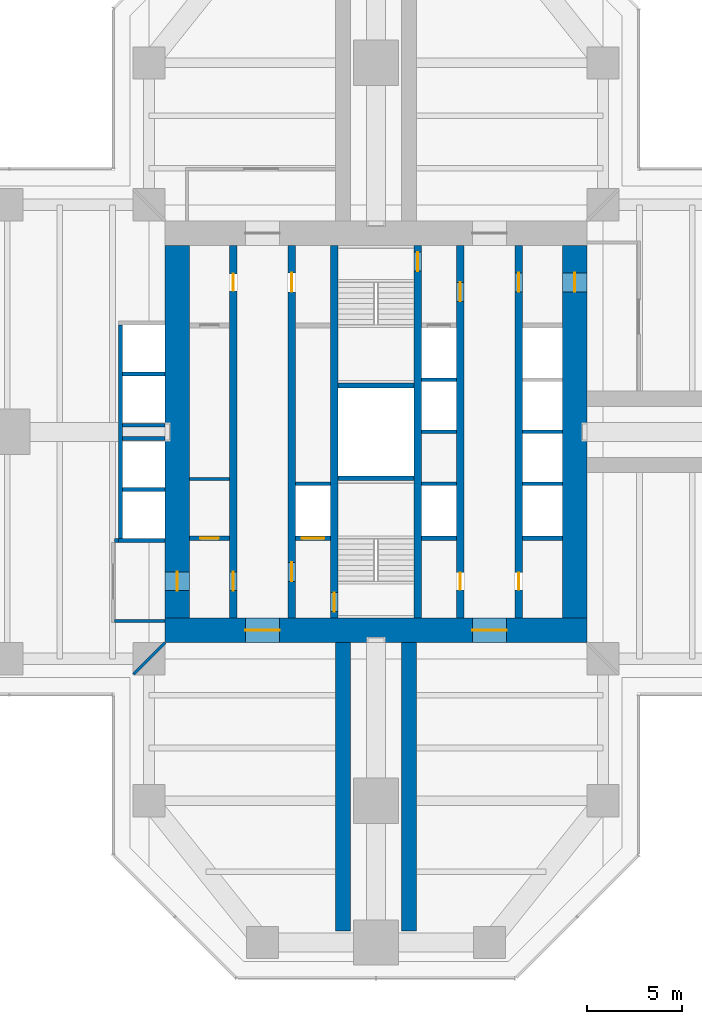
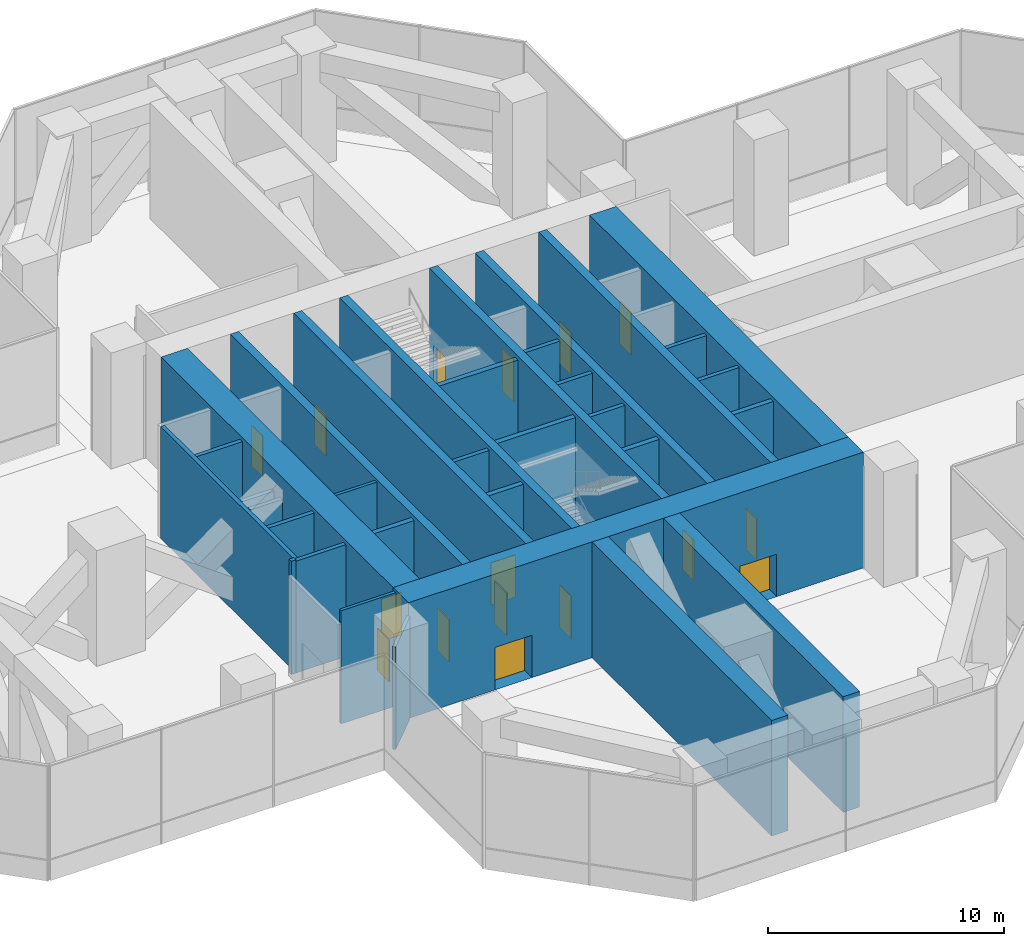
# One storey, part 14 of 19: 33 walls, 16 doors, 16 openings.
"""IFC4 building model written with IfcOpenShell, lengths in metres."""

from ifc_helpers import new_model, si_unit, direction, frame, frame_2d, origin, place, context, subcontext, project, spatial, rectangle, extrude, material, layer, layer_set, type_object, element, fill, save


model = new_model("IFC4")

# Units and contexts
model_context = context("Model", 3, precision=1e-05, world=origin(), true_north=direction((0.0, 1.0)))
body_context = subcontext(model_context, "Body", "Model", "MODEL_VIEW")
ifc_project = project(units=[si_unit("LENGTHUNIT", "METRE"), si_unit("AREAUNIT", "SQUARE_METRE"), si_unit("VOLUMEUNIT", "CUBIC_METRE"), si_unit("PLANEANGLEUNIT", "RADIAN"), si_unit("MASSUNIT", "GRAM", prefix="KILO")], contexts=[model_context])

# Site, building, storey
site_placement = place(None, origin())
site = spatial("IfcSite", under=ifc_project, at=site_placement, CompositionType="ELEMENT")
building_placement = place(site_placement, origin())
building = spatial("IfcBuilding", under=site, at=building_placement, Name="Mizan Broadcast Tower", CompositionType="ELEMENT")
storey_placement = place(building_placement, frame((0.0, 0.0, 198.89990234375)))
storey = spatial("IfcBuildingStorey", under=building, at=storey_placement, Name="L46", CompositionType="ELEMENT", Elevation=198.89990234375)

# Wall, openings, doors
ifc_material_1 = material(Name="Concrete C70/85", Category="concrete")
ifc_layer_1 = layer(ifc_material_1, 0.39990234375)
ifc_layer_set_1 = layer_set([ifc_layer_1], Name="Concrete C70/85")
wall_type_1 = type_object("IfcWallType", Name="CORE INTERNAL WALL 400", PredefinedType="SHEAR", material=ifc_layer_set_1)
wall_1_placement = place(storey_placement, frame((-7.550048828125, -9.85009765625, 0.0), z_axis=(0.0, 0.0, 1.0), x_axis=(0.0, 1.0, 0.0)))
wall_1 = element("IfcWall", 1, at=wall_1_placement, inside=storey, type_object=wall_type_1, Name="Core wall CORE/XW1", PredefinedType="SHEAR", context=body_context, shape_type="SweptSolid", body=[
    extrude(rectangle(XDim=19.7001953125, YDim=0.39990234375, at=frame_2d((9.85009765625, 0.0))), origin(), (0.0, 0.0, 1.0), 6.0),
])
opening_1_placement = place(wall_1_placement, frame((1.449951171875, 0.0, 0.0)))
opening_1 = element("IfcOpeningElement", 2, at=opening_1_placement, cuts=wall_1, Name="Opening D10F", PredefinedType="OPENING", context=body_context, shape_type="SweptSolid", body=[
    extrude(rectangle(XDim=1.0, YDim=2.199951171875, at=frame_2d((0.5, 1.10009765625))), frame((0.0, 0.2099609375, 0.0), z_axis=(0.0, -1.0, 0.0), x_axis=(1.0, 0.0, 0.0)), (0.0, 0.0, 1.0), 0.419921875),
])
opening_2_placement = place(wall_1_placement, frame((17.300048828125, 0.0, 0.0)))
opening_2 = element("IfcOpeningElement", 3, at=opening_2_placement, cuts=wall_1, Name="Opening D09", PredefinedType="OPENING", context=body_context, shape_type="SweptSolid", body=[
    extrude(rectangle(XDim=0.89990234375, YDim=2.10009765625, at=frame_2d((0.449951171875, 1.050048828125))), frame((0.0, 0.2099609375, 0.0), z_axis=(0.0, -1.0, 0.0), x_axis=(1.0, 0.0, 0.0)), (0.0, 0.0, 1.0), 0.419921875),
])
ifc_material_2 = material(Name="Steel door leaf in steel frame", Category="steel")
door_type_1 = type_object("IfcDoorType", Name="FIRE DOOR 1000 FD90", OperationType="SINGLE_SWING_LEFT", PredefinedType="DOOR", material=ifc_material_2)
door_1_placement = place(opening_1_placement, origin())
door_1 = element("IfcDoor", 4, at=door_1_placement, inside=storey, type_object=door_type_1, Name="West core passage door", OperationType="SINGLE_SWING_LEFT", OverallHeight=2.199951171875, OverallWidth=1.0, PredefinedType="DOOR", context=body_context, shape_type="SweptSolid", body=[
    extrude(rectangle(XDim=1.0, YDim=2.199951171875, at=frame_2d((0.5, 1.10009765625))), frame((0.0, 0.02490234375, 0.0), z_axis=(0.0, -1.0, 0.0), x_axis=(1.0, 0.0, 0.0)), (0.0, 0.0, 1.0), 0.050048828125),
])
fill(opening_1, door_1)
ifc_material_3 = material(Name="Timber door leaf in aluminium frame", Category="wood")
door_type_2 = type_object("IfcDoorType", Name="TOILET DOOR 900", OperationType="SINGLE_SWING_LEFT", PredefinedType="DOOR", material=ifc_material_3)
door_2_placement = place(opening_2_placement, origin())
door_2 = element("IfcDoor", 5, at=door_2_placement, inside=storey, type_object=door_type_2, Name="Male WC door", OperationType="SINGLE_SWING_RIGHT", OverallHeight=2.10009765625, OverallWidth=0.89990234375, PredefinedType="DOOR", context=body_context, shape_type="SweptSolid", body=[
    extrude(rectangle(XDim=0.89990234375, YDim=2.10009765625, at=frame_2d((0.449951171875, 1.050048828125))), frame((0.0, 0.02490234375, 0.0), z_axis=(0.0, -1.0, 0.0), x_axis=(1.0, 0.0, 0.0)), (0.0, 0.0, 1.0), 0.050048828125),
])
fill(opening_2, door_2)

wall_2_placement = place(storey_placement, frame((7.550048828125, 9.85009765625, 0.0), z_axis=(0.0, 0.0, 1.0), x_axis=(0.0, -1.0, 0.0)))
wall_2 = element("IfcWall", 6, at=wall_2_placement, inside=storey, type_object=wall_type_1, Name="Core wall CORE/XW1E", PredefinedType="SHEAR", context=body_context, shape_type="SweptSolid", body=[
    extrude(rectangle(XDim=19.7001953125, YDim=0.39990234375, at=frame_2d((9.85009765625, 0.0))), origin(), (0.0, 0.0, 1.0), 6.0),
])
opening_3_placement = place(wall_2_placement, frame((1.449951171875, 0.0, 0.0)))
opening_3 = element("IfcOpeningElement", 7, at=opening_3_placement, cuts=wall_2, Name="Opening D10F", PredefinedType="OPENING", context=body_context, shape_type="SweptSolid", body=[
    extrude(rectangle(XDim=1.0, YDim=2.199951171875, at=frame_2d((0.5, 1.10009765625))), frame((0.0, 0.2099609375, 0.0), z_axis=(0.0, -1.0, 0.0), x_axis=(1.0, 0.0, 0.0)), (0.0, 0.0, 1.0), 0.419921875),
])
opening_4_placement = place(wall_2_placement, frame((17.300048828125, 0.0, 0.0)))
opening_4 = element("IfcOpeningElement", 8, at=opening_4_placement, cuts=wall_2, Name="Opening D09", PredefinedType="OPENING", context=body_context, shape_type="SweptSolid", body=[
    extrude(rectangle(XDim=0.89990234375, YDim=2.10009765625, at=frame_2d((0.449951171875, 1.050048828125))), frame((0.0, 0.2099609375, 0.0), z_axis=(0.0, -1.0, 0.0), x_axis=(1.0, 0.0, 0.0)), (0.0, 0.0, 1.0), 0.419921875),
])
door_3_placement = place(opening_3_placement, origin())
door_3 = element("IfcDoor", 9, at=door_3_placement, inside=storey, type_object=door_type_1, Name="East core passage door", OperationType="SINGLE_SWING_LEFT", OverallHeight=2.199951171875, OverallWidth=1.0, PredefinedType="DOOR", context=body_context, shape_type="SweptSolid", body=[
    extrude(rectangle(XDim=1.0, YDim=2.199951171875, at=frame_2d((0.5, 1.10009765625))), frame((0.0, 0.02490234375, 0.0), z_axis=(0.0, -1.0, 0.0), x_axis=(1.0, 0.0, 0.0)), (0.0, 0.0, 1.0), 0.050048828125),
])
fill(opening_3, door_3)
door_4_placement = place(opening_4_placement, origin())
door_4 = element("IfcDoor", 10, at=door_4_placement, inside=storey, type_object=door_type_2, Name="Female WC door", OperationType="SINGLE_SWING_RIGHT", OverallHeight=2.10009765625, OverallWidth=0.89990234375, PredefinedType="DOOR", context=body_context, shape_type="SweptSolid", body=[
    extrude(rectangle(XDim=0.89990234375, YDim=2.10009765625, at=frame_2d((0.449951171875, 1.050048828125))), frame((0.0, 0.02490234375, 0.0), z_axis=(0.0, -1.0, 0.0), x_axis=(1.0, 0.0, 0.0)), (0.0, 0.0, 1.0), 0.050048828125),
])
fill(opening_4, door_4)

wall_3_placement = place(storey_placement, frame((-4.449951171875, -9.85009765625, 0.0), z_axis=(0.0, 0.0, 1.0), x_axis=(0.0, 1.0, 0.0)))
wall_3 = element("IfcWall", 11, at=wall_3_placement, inside=storey, type_object=wall_type_1, Name="Core wall CORE/XWH", PredefinedType="SHEAR", context=body_context, shape_type="SweptSolid", body=[
    extrude(rectangle(XDim=19.7001953125, YDim=0.39990234375, at=frame_2d((9.85009765625, 0.0))), origin(), (0.0, 0.0, 1.0), 6.0),
])
opening_5_placement = place(wall_3_placement, frame((1.949951171875, 0.0, 0.0)))
opening_5 = element("IfcOpeningElement", 12, at=opening_5_placement, cuts=wall_3, Name="Opening D10F", PredefinedType="OPENING", context=body_context, shape_type="SweptSolid", body=[
    extrude(rectangle(XDim=1.0, YDim=2.199951171875, at=frame_2d((0.5, 1.10009765625))), frame((0.0, 0.2099609375, 0.0), z_axis=(0.0, -1.0, 0.0), x_axis=(1.0, 0.0, 0.0)), (0.0, 0.0, 1.0), 0.419921875),
])
opening_6_placement = place(wall_3_placement, frame((17.25, 0.0, 0.0)))
opening_6 = element("IfcOpeningElement", 13, at=opening_6_placement, cuts=wall_3, Name="Opening D10A", PredefinedType="OPENING", context=body_context, shape_type="SweptSolid", body=[
    extrude(rectangle(XDim=1.0, YDim=2.10009765625, at=frame_2d((0.5, 1.050048828125))), frame((0.0, 0.2099609375, 0.0), z_axis=(0.0, -1.0, 0.0), x_axis=(1.0, 0.0, 0.0)), (0.0, 0.0, 1.0), 0.419921875),
])
ifc_material_4 = material(Name="Timber door leaf in aluminium frame", Category="wood")
door_type_3 = type_object("IfcDoorType", Name="ACCESSIBLE WC DOOR 1000", OperationType="SLIDING_TO_LEFT", PredefinedType="DOOR", material=ifc_material_4)
door_5_placement = place(opening_6_placement, origin())
door_5 = element("IfcDoor", 14, at=door_5_placement, inside=storey, type_object=door_type_3, Name="Accessible WC door", OperationType="SLIDING_TO_LEFT", OverallHeight=2.10009765625, OverallWidth=1.0, PredefinedType="DOOR", context=body_context, shape_type="SweptSolid", body=[
    extrude(rectangle(XDim=1.0, YDim=2.10009765625, at=frame_2d((0.5, 1.050048828125))), frame((0.0, 0.02490234375, 0.0), z_axis=(0.0, -1.0, 0.0), x_axis=(1.0, 0.0, 0.0)), (0.0, 0.0, 1.0), 0.050048828125),
])
fill(opening_6, door_5)
door_6_placement = place(opening_5_placement, origin())
door_6 = element("IfcDoor", 15, at=door_6_placement, inside=storey, type_object=door_type_1, Name="Firefighting lobby A door", OperationType="SINGLE_SWING_LEFT", OverallHeight=2.199951171875, OverallWidth=1.0, PredefinedType="DOOR", context=body_context, shape_type="SweptSolid", body=[
    extrude(rectangle(XDim=1.0, YDim=2.199951171875, at=frame_2d((0.5, 1.10009765625))), frame((0.0, 0.02490234375, 0.0), z_axis=(0.0, -1.0, 0.0), x_axis=(1.0, 0.0, 0.0)), (0.0, 0.0, 1.0), 0.050048828125),
])
fill(opening_5, door_6)

wall_4_placement = place(storey_placement, frame((4.449951171875, 9.85009765625, 0.0), z_axis=(0.0, 0.0, 1.0), x_axis=(0.0, -1.0, 0.0)))
wall_4 = element("IfcWall", 16, at=wall_4_placement, inside=storey, type_object=wall_type_1, Name="Core wall CORE/XWHE", PredefinedType="SHEAR", context=body_context, shape_type="SweptSolid", body=[
    extrude(rectangle(XDim=19.7001953125, YDim=0.39990234375, at=frame_2d((9.85009765625, 0.0))), origin(), (0.0, 0.0, 1.0), 6.0),
])
opening_7_placement = place(wall_4_placement, frame((1.949951171875, 0.0, 0.0)))
opening_7 = element("IfcOpeningElement", 17, at=opening_7_placement, cuts=wall_4, Name="Opening D10F", PredefinedType="OPENING", context=body_context, shape_type="SweptSolid", body=[
    extrude(rectangle(XDim=1.0, YDim=2.199951171875, at=frame_2d((0.5, 1.10009765625))), frame((0.0, 0.2099609375, 0.0), z_axis=(0.0, -1.0, 0.0), x_axis=(1.0, 0.0, 0.0)), (0.0, 0.0, 1.0), 0.419921875),
])
opening_8_placement = place(wall_4_placement, frame((17.300048828125, 0.0, 0.0)))
opening_8 = element("IfcOpeningElement", 18, at=opening_8_placement, cuts=wall_4, Name="Opening D09", PredefinedType="OPENING", context=body_context, shape_type="SweptSolid", body=[
    extrude(rectangle(XDim=0.89990234375, YDim=2.10009765625, at=frame_2d((0.449951171875, 1.050048828125))), frame((0.0, 0.2099609375, 0.0), z_axis=(0.0, -1.0, 0.0), x_axis=(1.0, 0.0, 0.0)), (0.0, 0.0, 1.0), 0.419921875),
])
door_7_placement = place(opening_7_placement, origin())
door_7 = element("IfcDoor", 19, at=door_7_placement, inside=storey, type_object=door_type_1, Name="Firefighting lobby B door", OperationType="SINGLE_SWING_LEFT", OverallHeight=2.199951171875, OverallWidth=1.0, PredefinedType="DOOR", context=body_context, shape_type="SweptSolid", body=[
    extrude(rectangle(XDim=1.0, YDim=2.199951171875, at=frame_2d((0.5, 1.10009765625))), frame((0.0, 0.02490234375, 0.0), z_axis=(0.0, -1.0, 0.0), x_axis=(1.0, 0.0, 0.0)), (0.0, 0.0, 1.0), 0.050048828125),
])
fill(opening_7, door_7)
door_8_placement = place(opening_8_placement, origin())
door_8 = element("IfcDoor", 20, at=door_8_placement, inside=storey, type_object=door_type_2, Name="Cleaner's store door", OperationType="SINGLE_SWING_RIGHT", OverallHeight=2.10009765625, OverallWidth=0.89990234375, PredefinedType="DOOR", context=body_context, shape_type="SweptSolid", body=[
    extrude(rectangle(XDim=0.89990234375, YDim=2.10009765625, at=frame_2d((0.449951171875, 1.050048828125))), frame((0.0, 0.02490234375, 0.0), z_axis=(0.0, -1.0, 0.0), x_axis=(1.0, 0.0, 0.0)), (0.0, 0.0, 1.0), 0.050048828125),
])
fill(opening_8, door_8)

# Wall, opening, door
wall_5_placement = place(storey_placement, frame((-2.199951171875, -9.85009765625, 0.0), z_axis=(0.0, 0.0, 1.0), x_axis=(0.0, 1.0, 0.0)))
wall_5 = element("IfcWall", 21, at=wall_5_placement, inside=storey, type_object=wall_type_1, Name="Core wall CORE/XW2", PredefinedType="SHEAR", context=body_context, shape_type="SweptSolid", body=[
    extrude(rectangle(XDim=19.7001953125, YDim=0.39990234375, at=frame_2d((9.85009765625, 0.0))), origin(), (0.0, 0.0, 1.0), 6.0),
])
opening_9_placement = place(wall_5_placement, frame((0.35009765625, 0.0, 0.0)))
opening_9 = element("IfcOpeningElement", 22, at=opening_9_placement, cuts=wall_5, Name="Opening D10S", PredefinedType="OPENING", context=body_context, shape_type="SweptSolid", body=[
    extrude(rectangle(XDim=1.0, YDim=2.199951171875, at=frame_2d((0.5, 1.10009765625))), frame((0.0, 0.2099609375, 0.0), z_axis=(0.0, -1.0, 0.0), x_axis=(1.0, 0.0, 0.0)), (0.0, 0.0, 1.0), 0.419921875),
])
ifc_material_5 = material(Name="Steel door leaf in steel frame", Category="steel")
door_type_4 = type_object("IfcDoorType", Name="STAIR DOOR 1000 FD90S", OperationType="SINGLE_SWING_RIGHT", PredefinedType="DOOR", material=ifc_material_5)
door_9_placement = place(opening_9_placement, origin())
door_9 = element("IfcDoor", 23, at=door_9_placement, inside=storey, type_object=door_type_4, Name="Stair A door", OperationType="SINGLE_SWING_RIGHT", OverallHeight=2.199951171875, OverallWidth=1.0, PredefinedType="DOOR", context=body_context, shape_type="SweptSolid", body=[
    extrude(rectangle(XDim=1.0, YDim=2.199951171875, at=frame_2d((0.5, 1.10009765625))), frame((0.0, 0.02490234375, 0.0), z_axis=(0.0, -1.0, 0.0), x_axis=(1.0, 0.0, 0.0)), (0.0, 0.0, 1.0), 0.050048828125),
])
fill(opening_9, door_9)

wall_6_placement = place(storey_placement, frame((2.199951171875, 9.85009765625, 0.0), z_axis=(0.0, 0.0, 1.0), x_axis=(0.0, -1.0, 0.0)))
wall_6 = element("IfcWall", 24, at=wall_6_placement, inside=storey, type_object=wall_type_1, Name="Core wall CORE/XW2E", PredefinedType="SHEAR", context=body_context, shape_type="SweptSolid", body=[
    extrude(rectangle(XDim=19.7001953125, YDim=0.39990234375, at=frame_2d((9.85009765625, 0.0))), origin(), (0.0, 0.0, 1.0), 6.0),
])
opening_10_placement = place(wall_6_placement, frame((0.35009765625, 0.0, 0.0)))
opening_10 = element("IfcOpeningElement", 25, at=opening_10_placement, cuts=wall_6, Name="Opening D10S", PredefinedType="OPENING", context=body_context, shape_type="SweptSolid", body=[
    extrude(rectangle(XDim=1.0, YDim=2.199951171875, at=frame_2d((0.5, 1.10009765625))), frame((0.0, 0.2099609375, 0.0), z_axis=(0.0, -1.0, 0.0), x_axis=(1.0, 0.0, 0.0)), (0.0, 0.0, 1.0), 0.419921875),
])
door_10_placement = place(opening_10_placement, origin())
door_10 = element("IfcDoor", 26, at=door_10_placement, inside=storey, type_object=door_type_4, Name="Stair B door", OperationType="SINGLE_SWING_RIGHT", OverallHeight=2.199951171875, OverallWidth=1.0, PredefinedType="DOOR", context=body_context, shape_type="SweptSolid", body=[
    extrude(rectangle(XDim=1.0, YDim=2.199951171875, at=frame_2d((0.5, 1.10009765625))), frame((0.0, 0.02490234375, 0.0), z_axis=(0.0, -1.0, 0.0), x_axis=(1.0, 0.0, 0.0)), (0.0, 0.0, 1.0), 0.050048828125),
])
fill(opening_10, door_10)

# Wall
ifc_material_6 = material(Name="Concrete blockwork", Category="masonry")
ifc_layer_2 = layer(ifc_material_6, 0.14990234375)
ifc_layer_set_2 = layer_set([ifc_layer_2], Name="Concrete blockwork")
wall_type_2 = type_object("IfcWallType", Name="CORE PARTITION 150", PredefinedType="SOLIDWALL", material=ifc_layer_set_2)
wall_7_placement = place(storey_placement, frame((-9.85009765625, -2.5, 0.0), z_axis=(0.0, 0.0, 1.0), x_axis=(1.0, 0.0, 0.0)))
element("IfcWall", 27, at=wall_7_placement, inside=storey, type_object=wall_type_2, Name="Core partition CORE/XP1", PredefinedType="SOLIDWALL", context=body_context, shape_type="SweptSolid", body=[
    extrude(rectangle(XDim=2.10009765625, YDim=0.14990234375, at=frame_2d((1.050048828125, 0.0))), origin(), (0.0, 0.0, 1.0), 5.8701171875),
])

# Wall, openings, doors
ifc_material_7 = material(Name="Concrete C70/85", Category="concrete")
ifc_layer_3 = layer(ifc_material_7, 1.300048828125)
ifc_layer_set_3 = layer_set([ifc_layer_3], Name="Concrete C70/85")
wall_type_3 = type_object("IfcWallType", Name="CORE WALL 1300", PredefinedType="SHEAR", material=ifc_layer_set_3)
wall_8_placement = place(storey_placement, frame((11.14990234375, -10.5, 0.0), z_axis=(0.0, 0.0, 1.0), x_axis=(-1.0, 0.0, 0.0)))
wall_8 = element("IfcWall", 28, at=wall_8_placement, inside=storey, type_object=wall_type_3, Name="Core wall S L46", PredefinedType="SHEAR", context=body_context, shape_type="SweptSolid", body=[
    extrude(rectangle(XDim=22.2998046875, YDim=1.300048828125, at=frame_2d((11.14990234375, 0.0))), origin(), (0.0, 0.0, 1.0), 6.0),
])
opening_11_placement = place(wall_8_placement, frame((16.25, 0.0, 0.0)))
opening_11 = element("IfcOpeningElement", 29, at=opening_11_placement, cuts=wall_8, Name="Opening D18F", PredefinedType="OPENING", context=body_context, shape_type="SweptSolid", body=[
    extrude(rectangle(XDim=1.800048828125, YDim=2.199951171875, at=frame_2d((0.89990234375, 1.10009765625))), frame((0.0, 0.659912109375, 0.0), z_axis=(0.0, -1.0, 0.0), x_axis=(1.0, 0.0, 0.0)), (0.0, 0.0, 1.0), 1.320068359375),
])
opening_12_placement = place(wall_8_placement, frame((4.25, 0.0, 0.0)))
opening_12 = element("IfcOpeningElement", 30, at=opening_12_placement, cuts=wall_8, Name="Opening D18F", PredefinedType="OPENING", context=body_context, shape_type="SweptSolid", body=[
    extrude(rectangle(XDim=1.800048828125, YDim=2.199951171875, at=frame_2d((0.89990234375, 1.10009765625))), frame((0.0, 0.659912109375, 0.0), z_axis=(0.0, -1.0, 0.0), x_axis=(1.0, 0.0, 0.0)), (0.0, 0.0, 1.0), 1.320068359375),
])
ifc_material_8 = material(Name="Steel door leaf in steel frame", Category="steel")
door_type_5 = type_object("IfcDoorType", Name="LOBBY DOUBLE DOOR 1800 FD90", OperationType="DOUBLE_DOOR_DOUBLE_SWING", PredefinedType="DOOR", material=ifc_material_8)
door_11_placement = place(opening_11_placement, origin())
door_11 = element("IfcDoor", 31, at=door_11_placement, inside=storey, type_object=door_type_5, Name="West lift lobby south door", OperationType="DOUBLE_DOOR_DOUBLE_SWING", OverallHeight=2.199951171875, OverallWidth=1.800048828125, PredefinedType="DOOR", context=body_context, shape_type="SweptSolid", body=[
    extrude(rectangle(XDim=1.800048828125, YDim=2.199951171875, at=frame_2d((0.89990234375, 1.10009765625))), frame((0.0, 0.02490234375, 0.0), z_axis=(0.0, -1.0, 0.0), x_axis=(1.0, 0.0, 0.0)), (0.0, 0.0, 1.0), 0.050048828125),
])
fill(opening_11, door_11)
door_12_placement = place(opening_12_placement, origin())
door_12 = element("IfcDoor", 32, at=door_12_placement, inside=storey, type_object=door_type_5, Name="East lift lobby south door", OperationType="DOUBLE_DOOR_DOUBLE_SWING", OverallHeight=2.199951171875, OverallWidth=1.800048828125, PredefinedType="DOOR", context=body_context, shape_type="SweptSolid", body=[
    extrude(rectangle(XDim=1.800048828125, YDim=2.199951171875, at=frame_2d((0.89990234375, 1.10009765625))), frame((0.0, 0.02490234375, 0.0), z_axis=(0.0, -1.0, 0.0), x_axis=(1.0, 0.0, 0.0)), (0.0, 0.0, 1.0), 0.050048828125),
])
fill(opening_12, door_12)

# Wall, opening, door
wall_9_placement = place(storey_placement, frame((10.5, -9.85009765625, 0.0), z_axis=(0.0, 0.0, 1.0), x_axis=(0.0, 1.0, 0.0)))
wall_9 = element("IfcWall", 33, at=wall_9_placement, inside=storey, type_object=wall_type_3, Name="Core wall E L46", PredefinedType="SHEAR", context=body_context, shape_type="SweptSolid", body=[
    extrude(rectangle(XDim=19.7001953125, YDim=1.300048828125, at=frame_2d((9.85009765625, 0.0))), origin(), (0.0, 0.0, 1.0), 6.0),
])
opening_13_placement = place(wall_9_placement, frame((17.25, 0.0, 0.0)))
opening_13 = element("IfcOpeningElement", 34, at=opening_13_placement, cuts=wall_9, Name="Opening D10F", PredefinedType="OPENING", context=body_context, shape_type="SweptSolid", body=[
    extrude(rectangle(XDim=1.0, YDim=2.199951171875, at=frame_2d((0.5, 1.10009765625))), frame((0.0, 0.659912109375, 0.0), z_axis=(0.0, -1.0, 0.0), x_axis=(1.0, 0.0, 0.0)), (0.0, 0.0, 1.0), 1.320068359375),
])
door_13_placement = place(opening_13_placement, origin())
door_13 = element("IfcDoor", 35, at=door_13_placement, inside=storey, type_object=door_type_1, Name="East core passage arm door", OperationType="SINGLE_SWING_RIGHT", OverallHeight=2.199951171875, OverallWidth=1.0, PredefinedType="DOOR", context=body_context, shape_type="SweptSolid", body=[
    extrude(rectangle(XDim=1.0, YDim=2.199951171875, at=frame_2d((0.5, 1.10009765625))), frame((0.0, 0.02490234375, 0.0), z_axis=(0.0, -1.0, 0.0), x_axis=(1.0, 0.0, 0.0)), (0.0, 0.0, 1.0), 0.050048828125),
])
fill(opening_13, door_13)

wall_10_placement = place(storey_placement, frame((-10.5, 9.85009765625, 0.0), z_axis=(0.0, 0.0, 1.0), x_axis=(0.0, -1.0, 0.0)))
wall_10 = element("IfcWall", 36, at=wall_10_placement, inside=storey, type_object=wall_type_3, Name="Core wall W L46", PredefinedType="SHEAR", context=body_context, shape_type="SweptSolid", body=[
    extrude(rectangle(XDim=19.7001953125, YDim=1.300048828125, at=frame_2d((9.85009765625, 0.0))), origin(), (0.0, 0.0, 1.0), 6.0),
])
opening_14_placement = place(wall_10_placement, frame((17.25, 0.0, 0.0)))
opening_14 = element("IfcOpeningElement", 37, at=opening_14_placement, cuts=wall_10, Name="Opening D10F", PredefinedType="OPENING", context=body_context, shape_type="SweptSolid", body=[
    extrude(rectangle(XDim=1.0, YDim=2.199951171875, at=frame_2d((0.5, 1.10009765625))), frame((0.0, 0.659912109375, 0.0), z_axis=(0.0, -1.0, 0.0), x_axis=(1.0, 0.0, 0.0)), (0.0, 0.0, 1.0), 1.320068359375),
])
door_14_placement = place(opening_14_placement, origin())
door_14 = element("IfcDoor", 38, at=door_14_placement, inside=storey, type_object=door_type_1, Name="West core passage arm door", OperationType="SINGLE_SWING_RIGHT", OverallHeight=2.199951171875, OverallWidth=1.0, PredefinedType="DOOR", context=body_context, shape_type="SweptSolid", body=[
    extrude(rectangle(XDim=1.0, YDim=2.199951171875, at=frame_2d((0.5, 1.10009765625))), frame((0.0, 0.02490234375, 0.0), z_axis=(0.0, -1.0, 0.0), x_axis=(1.0, 0.0, 0.0)), (0.0, 0.0, 1.0), 0.050048828125),
])
fill(opening_14, door_14)

# Walls
ifc_material_9 = material(Name="Concrete blockwork", Category="masonry")
ifc_layer_4 = layer(ifc_material_9, 0.199951171875)
ifc_layer_set_4 = layer_set([ifc_layer_4], Name="Concrete blockwork")
wall_type_4 = type_object("IfcWallType", Name="LIFT SHAFT WALL 200", PredefinedType="SOLIDWALL", material=ifc_layer_set_4)
for number, where, z_axis, x_axis, name in (
    (39, (-4.25, -2.75, 0.0), (0.0, 0.0, 1.0), (1.0, 0.0, 0.0), "Lift shaft wall CORE/SW2-1"),
    (40, (2.39990234375, -2.75, 0.0), (0.0, 0.0, 1.0), (1.0, 0.0, 0.0), "Lift shaft wall CORE/SE2-1"),
):
    element("IfcWall", number, at=place(storey_placement, frame(where, z_axis=z_axis, x_axis=x_axis)), inside=storey, type_object=wall_type_4, Name=name, PredefinedType="SOLIDWALL", context=body_context, shape_type="SweptSolid", body=[
        extrude(rectangle(XDim=1.85009765625, YDim=0.199951171875, at=frame_2d((0.925048828125, 0.0))), origin(), (0.0, 0.0, 1.0), 5.800048828125),
    ])
wall_11_placement = place(storey_placement, frame((7.75, -2.75, 0.0), z_axis=(0.0, 0.0, 1.0), x_axis=(1.0, 0.0, 0.0)))
element("IfcWall", 41, at=wall_11_placement, inside=storey, type_object=wall_type_4, Name="Lift shaft wall CORE/SE1-1", PredefinedType="SOLIDWALL", context=body_context, shape_type="SweptSolid", body=[
    extrude(rectangle(XDim=2.10009765625, YDim=0.199951171875, at=frame_2d((1.050048828125, 0.0))), origin(), (0.0, 0.0, 1.0), 5.800048828125),
])
wall_12_placement = place(storey_placement, frame((2.39990234375, 0.0, 0.0), z_axis=(0.0, 0.0, 1.0), x_axis=(1.0, 0.0, 0.0)))
element("IfcWall", 42, at=wall_12_placement, inside=storey, type_object=wall_type_4, Name="Lift shaft wall CORE/SE2-2", PredefinedType="SOLIDWALL", context=body_context, shape_type="SweptSolid", body=[
    extrude(rectangle(XDim=1.85009765625, YDim=0.199951171875, at=frame_2d((0.925048828125, 0.0))), origin(), (0.0, 0.0, 1.0), 5.800048828125),
])
wall_13_placement = place(storey_placement, frame((7.75, 0.0, 0.0), z_axis=(0.0, 0.0, 1.0), x_axis=(1.0, 0.0, 0.0)))
element("IfcWall", 43, at=wall_13_placement, inside=storey, type_object=wall_type_4, Name="Lift shaft wall CORE/SE1-2", PredefinedType="SOLIDWALL", context=body_context, shape_type="SweptSolid", body=[
    extrude(rectangle(XDim=2.10009765625, YDim=0.199951171875, at=frame_2d((1.050048828125, 0.0))), origin(), (0.0, 0.0, 1.0), 5.800048828125),
])
wall_14_placement = place(storey_placement, frame((2.39990234375, 2.75, 0.0), z_axis=(0.0, 0.0, 1.0), x_axis=(1.0, 0.0, 0.0)))
element("IfcWall", 44, at=wall_14_placement, inside=storey, type_object=wall_type_4, Name="Lift shaft wall CORE/SE2-3", PredefinedType="SOLIDWALL", context=body_context, shape_type="SweptSolid", body=[
    extrude(rectangle(XDim=1.85009765625, YDim=0.199951171875, at=frame_2d((0.925048828125, 0.0))), origin(), (0.0, 0.0, 1.0), 5.800048828125),
])
wall_15_placement = place(storey_placement, frame((-13.5, 5.64990234375, 0.0), z_axis=(0.0, 0.0, 1.0), x_axis=(0.0, -1.0, 0.0)))
element("IfcWall", 45, at=wall_15_placement, inside=storey, type_object=wall_type_4, Name="Lift shaft wall LC/F", PredefinedType="SOLIDWALL", context=body_context, shape_type="SweptSolid", body=[
    extrude(rectangle(XDim=11.2998046875, YDim=0.199951171875, at=frame_2d((5.64990234375, 0.0))), origin(), (0.0, 0.0, 1.0), 5.800048828125),
])
wall_16_placement = place(storey_placement, frame((-11.14990234375, -5.75, 0.0), z_axis=(0.0, 0.0, 1.0), x_axis=(-1.0, 0.0, 0.0)))
element("IfcWall", 46, at=wall_16_placement, inside=storey, type_object=wall_type_4, Name="Lift shaft wall LC/S2", PredefinedType="SOLIDWALL", context=body_context, shape_type="SweptSolid", body=[
    extrude(rectangle(XDim=2.4501953125, YDim=0.199951171875, at=frame_2d((1.22509765625, 0.0))), origin(), (0.0, 0.0, 1.0), 5.800048828125),
])
wall_17_placement = place(storey_placement, frame((-11.14990234375, 3.050048828125, 0.0), z_axis=(0.0, 0.0, 1.0), x_axis=(-1.0, 0.0, 0.0)))
element("IfcWall", 47, at=wall_17_placement, inside=storey, type_object=wall_type_4, Name="Lift shaft wall LC/SP1", PredefinedType="SOLIDWALL", context=body_context, shape_type="SweptSolid", body=[
    extrude(rectangle(XDim=2.25, YDim=0.199951171875, at=frame_2d((1.125, 0.0))), origin(), (0.0, 0.0, 1.0), 5.800048828125),
])
for number, where, z_axis, x_axis, name in (
    (48, (-11.14990234375, 0.35009765625, 0.0), (0.0, 0.0, 1.0), (-1.0, 0.0, 0.0), "Lift shaft wall LC/SP2"),
    (49, (-11.14990234375, -0.35009765625, 0.0), (0.0, 0.0, 1.0), (-1.0, 0.0, 0.0), "Lift shaft wall LC/SP3"),
):
    element("IfcWall", number, at=place(storey_placement, frame(where, z_axis=z_axis, x_axis=x_axis)), inside=storey, type_object=wall_type_4, Name=name, PredefinedType="SOLIDWALL", context=body_context, shape_type="SweptSolid", body=[
        extrude(rectangle(XDim=2.25, YDim=0.199951171875, at=frame_2d((1.125, 0.0))), origin(), (0.0, 0.0, 1.0), 4.8701171875),
    ])
wall_18_placement = place(storey_placement, frame((-11.14990234375, -3.050048828125, 0.0), z_axis=(0.0, 0.0, 1.0), x_axis=(-1.0, 0.0, 0.0)))
element("IfcWall", 50, at=wall_18_placement, inside=storey, type_object=wall_type_4, Name="Lift shaft wall LC/SP4", PredefinedType="SOLIDWALL", context=body_context, shape_type="SweptSolid", body=[
    extrude(rectangle(XDim=2.25, YDim=0.199951171875, at=frame_2d((1.125, 0.0))), origin(), (0.0, 0.0, 1.0), 5.800048828125),
])

# Wall, opening, door
ifc_material_10 = material(Name="Concrete blockwork", Category="masonry")
ifc_layer_5 = layer(ifc_material_10, 0.25)
ifc_layer_set_5 = layer_set([ifc_layer_5], Name="Concrete blockwork")
wall_type_5 = type_object("IfcWallType", Name="LOBBY ENCLOSURE WALL 250", PredefinedType="SOLIDWALL", material=ifc_layer_set_5)
wall_19_placement = place(storey_placement, frame((-9.85009765625, -5.625, 0.0), z_axis=(0.0, 0.0, 1.0), x_axis=(1.0, 0.0, 0.0)))
wall_19 = element("IfcWall", 51, at=wall_19_placement, inside=storey, type_object=wall_type_5, Name="Lobby enclosure wall CORE/BW1S", PredefinedType="SOLIDWALL", context=body_context, shape_type="SweptSolid", body=[
    extrude(rectangle(XDim=2.10009765625, YDim=0.25, at=frame_2d((1.050048828125, 0.0))), origin(), (0.0, 0.0, 1.0), 5.800048828125),
])
opening_15_placement = place(wall_19_placement, frame((0.550048828125, 0.0, 0.0)))
opening_15 = element("IfcOpeningElement", 52, at=opening_15_placement, cuts=wall_19, Name="Opening D10F", PredefinedType="OPENING", context=body_context, shape_type="SweptSolid", body=[
    extrude(rectangle(XDim=1.0, YDim=2.199951171875, at=frame_2d((0.5, 1.10009765625))), frame((0.0, 0.135009765625, 0.0), z_axis=(0.0, -1.0, 0.0), x_axis=(1.0, 0.0, 0.0)), (0.0, 0.0, 1.0), 0.27001953125),
])
door_15_placement = place(opening_15_placement, origin())
door_15 = element("IfcDoor", 53, at=door_15_placement, inside=storey, type_object=door_type_1, Name="Engineer's office door", OperationType="SINGLE_SWING_RIGHT", OverallHeight=2.199951171875, OverallWidth=1.0, PredefinedType="DOOR", context=body_context, shape_type="SweptSolid", body=[
    extrude(rectangle(XDim=1.0, YDim=2.199951171875, at=frame_2d((0.5, 1.10009765625))), frame((0.0, 0.02490234375, 0.0), z_axis=(0.0, -1.0, 0.0), x_axis=(1.0, 0.0, 0.0)), (0.0, 0.0, 1.0), 0.050048828125),
])
fill(opening_15, door_15)

wall_20_placement = place(storey_placement, frame((-4.25, -5.625, 0.0), z_axis=(0.0, 0.0, 1.0), x_axis=(1.0, 0.0, 0.0)))
wall_20 = element("IfcWall", 54, at=wall_20_placement, inside=storey, type_object=wall_type_5, Name="Lobby enclosure wall CORE/BW2S", PredefinedType="SOLIDWALL", context=body_context, shape_type="SweptSolid", body=[
    extrude(rectangle(XDim=1.85009765625, YDim=0.25, at=frame_2d((0.925048828125, 0.0))), origin(), (0.0, 0.0, 1.0), 5.800048828125),
])
opening_16_placement = place(wall_20_placement, frame((0.324951171875, 0.0, 0.0)))
opening_16 = element("IfcOpeningElement", 55, at=opening_16_placement, cuts=wall_20, Name="Opening LDF", PredefinedType="OPENING", context=body_context, shape_type="SweptSolid", body=[
    extrude(rectangle(XDim=1.199951171875, YDim=2.199951171875, at=frame_2d((0.60009765625, 1.10009765625))), frame((0.0, 0.135009765625, 0.0), z_axis=(0.0, -1.0, 0.0), x_axis=(1.0, 0.0, 0.0)), (0.0, 0.0, 1.0), 0.27001953125),
])
ifc_material_11 = material(Name="Steel door leaf in steel frame", Category="steel")
door_type_6 = type_object("IfcDoorType", Name="FIREFIGHTING LIFT LANDING DOOR 1200", OperationType="SLIDING_TO_LEFT", PredefinedType="DOOR", material=ifc_material_11)
door_16_placement = place(opening_16_placement, origin())
door_16 = element("IfcDoor", 56, at=door_16_placement, inside=storey, type_object=door_type_6, Name="Landing door FF1", OperationType="SLIDING_TO_LEFT", OverallHeight=2.199951171875, OverallWidth=1.199951171875, PredefinedType="DOOR", context=body_context, shape_type="SweptSolid", body=[
    extrude(rectangle(XDim=1.199951171875, YDim=2.199951171875, at=frame_2d((0.60009765625, 1.10009765625))), frame((0.0, 0.02490234375, 0.0), z_axis=(0.0, -1.0, 0.0), x_axis=(1.0, 0.0, 0.0)), (0.0, 0.0, 1.0), 0.050048828125),
])
fill(opening_16, door_16)

# Walls
wall_21_placement = place(storey_placement, frame((2.39990234375, -5.625, 0.0), z_axis=(0.0, 0.0, 1.0), x_axis=(1.0, 0.0, 0.0)))
element("IfcWall", 57, at=wall_21_placement, inside=storey, type_object=wall_type_5, Name="Lobby enclosure wall CORE/BE2S", PredefinedType="SOLIDWALL", context=body_context, shape_type="SweptSolid", body=[
    extrude(rectangle(XDim=1.85009765625, YDim=0.25, at=frame_2d((0.925048828125, 0.0))), origin(), (0.0, 0.0, 1.0), 5.800048828125),
])
wall_22_placement = place(storey_placement, frame((7.75, -5.625, 0.0), z_axis=(0.0, 0.0, 1.0), x_axis=(1.0, 0.0, 0.0)))
element("IfcWall", 58, at=wall_22_placement, inside=storey, type_object=wall_type_5, Name="Lobby enclosure wall CORE/BE1S", PredefinedType="SOLIDWALL", context=body_context, shape_type="SweptSolid", body=[
    extrude(rectangle(XDim=2.10009765625, YDim=0.25, at=frame_2d((1.050048828125, 0.0))), origin(), (0.0, 0.0, 1.0), 5.800048828125),
])
for number, where, z_axis, x_axis, name in (
    (59, (-2.0, -2.449951171875, 0.0), (0.0, 0.0, 1.0), (1.0, 0.0, 0.0), "Lobby enclosure wall CORE/STA"),
    (60, (-2.0, 2.449951171875, 0.0), (0.0, 0.0, 1.0), (1.0, 0.0, 0.0), "Lobby enclosure wall CORE/STB"),
):
    element("IfcWall", number, at=place(storey_placement, frame(where, z_axis=z_axis, x_axis=x_axis)), inside=storey, type_object=wall_type_5, Name=name, PredefinedType="SOLIDWALL", context=body_context, shape_type="SweptSolid", body=[
        extrude(rectangle(XDim=4.0, YDim=0.25, at=frame_2d((2.0, 0.0))), origin(), (0.0, 0.0, 1.0), 5.800048828125),
    ])
ifc_material_12 = material(Name="Gypsum board on steel studs", Category="steel")
ifc_layer_6 = layer(ifc_material_12, 0.14990234375)
ifc_layer_set_6 = layer_set([ifc_layer_6], Name="Gypsum board on steel studs")
wall_type_6 = type_object("IfcWallType", Name="PARTITION 150", PredefinedType="PARTITIONING", material=ifc_layer_set_6)
wall_23_placement = place(storey_placement, frame((-11.14990234375, -11.14990234375, 0.0), z_axis=(0.0, 0.0, 1.0), x_axis=(-0.707106781187, -0.707106781187, 0.0)))
element("IfcWall", 61, at=wall_23_placement, inside=storey, type_object=wall_type_6, Name="Partition PT/DGWS", PredefinedType="PARTITIONING", context=body_context, shape_type="SweptSolid", body=[
    extrude(rectangle(XDim=2.362060546875, YDim=0.14990234375, at=frame_2d((1.18115234375, 0.0))), origin(), (0.0, 0.0, 1.0), 5.320068359375),
])
ifc_material_13 = material(Name="Concrete blockwork", Category="masonry")
ifc_layer_7 = layer(ifc_material_13, 0.14990234375)
ifc_layer_set_7 = layer_set([ifc_layer_7], Name="Concrete blockwork")
wall_type_7 = type_object("IfcWallType", Name="PLANT ROOM ENCLOSURE WALL 150", PredefinedType="SOLIDWALL", material=ifc_layer_set_7)
wall_24_placement = place(storey_placement, frame((-11.14990234375, -10.0, 0.0), z_axis=(0.0, 0.0, 1.0), x_axis=(-1.0, 0.0, 0.0)))
element("IfcWall", 62, at=wall_24_placement, inside=storey, type_object=wall_type_7, Name="Plant room wall PT/WLV", PredefinedType="SOLIDWALL", context=body_context, shape_type="SweptSolid", body=[
    extrude(rectangle(XDim=2.675048828125, YDim=0.14990234375, at=frame_2d((1.33740234375, 0.0))), origin(), (0.0, 0.0, 1.0), 5.8701171875),
])
wall_25_placement = place(storey_placement, frame((-13.60009765625, -5.75, 0.0), z_axis=(0.0, 0.0, 1.0), x_axis=(-1.0, 0.0, 0.0)))
element("IfcWall", 63, at=wall_25_placement, inside=storey, type_object=wall_type_7, Name="Plant room wall PT/WLS", PredefinedType="SOLIDWALL", context=body_context, shape_type="SweptSolid", body=[
    extrude(rectangle(XDim=0.224853515625, YDim=0.199951171875, at=frame_2d((0.1123046875, 0.0))), origin(), (0.0, 0.0, 1.0), 5.8701171875),
])
ifc_material_14 = material(Name="Concrete C70/85", Category="concrete")
ifc_layer_8 = layer(ifc_material_14, 0.800048828125)
ifc_layer_set_8 = layer_set([ifc_layer_8], Name="Concrete C70/85")
wall_type_8 = type_object("IfcWallType", Name="SPINE WALL 800", PredefinedType="SHEAR", material=ifc_layer_set_8)
for number, where, z_axis, x_axis, name in (
    (64, (-1.75, -11.14990234375, 0.0), (0.0, 0.0, 1.0), (0.0, -1.0, 0.0), "Spine wall SR L46"),
    (65, (1.75, -11.14990234375, 0.0), (0.0, 0.0, 1.0), (0.0, -1.0, 0.0), "Spine wall SL L46"),
):
    element("IfcWall", number, at=place(storey_placement, frame(where, z_axis=z_axis, x_axis=x_axis)), inside=storey, type_object=wall_type_8, Name=name, PredefinedType="SHEAR", context=body_context, shape_type="SweptSolid", body=[
        extrude(rectangle(XDim=15.25, YDim=0.800048828125, at=frame_2d((7.625, 0.0))), origin(), (0.0, 0.0, 1.0), 6.0),
    ])

save(model, "model.ifc")
